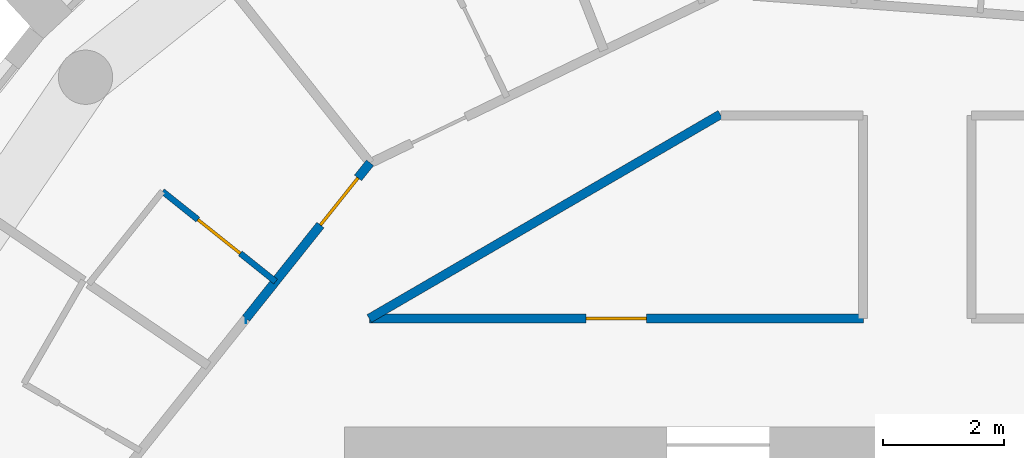
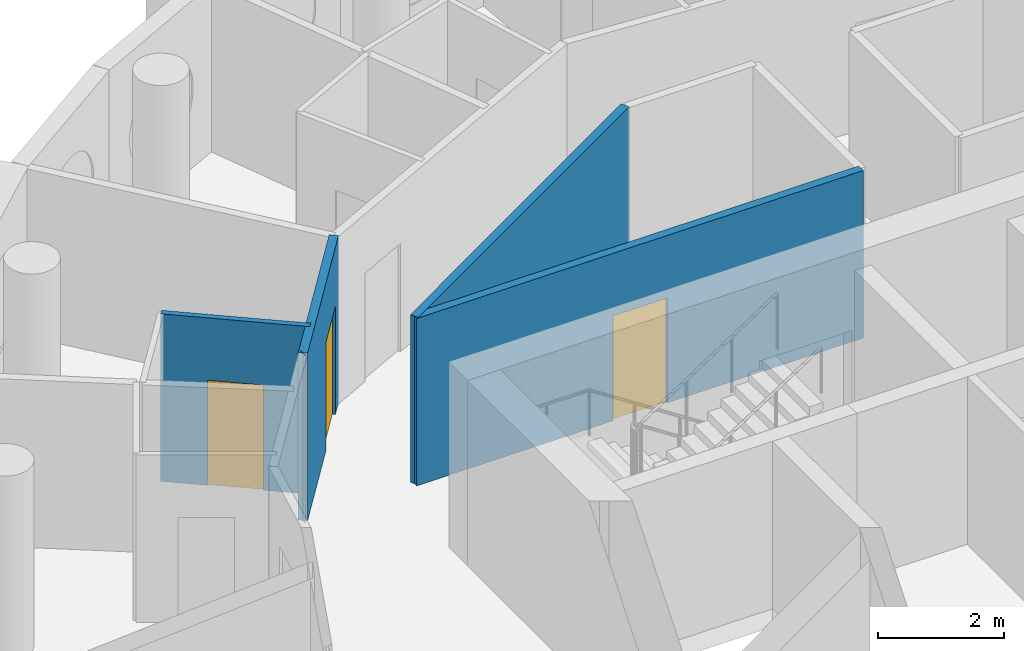
# One storey, part 6 of 12: 5 walls, 3 doors, 3 openings.
"""IFC4 building model written with IfcOpenShell, lengths in metres."""

from ifc_helpers import new_model, si_unit, direction, frame, frame_2d, origin, place, context, subcontext, project, spatial, rectangle, extrude, material, layer, layer_set, type_object, element, fill, save


model = new_model("IFC4")

# Units and contexts
model_context = context("Model", 3, precision=1e-05, world=origin(), true_north=direction((0.0, 1.0)))
body_context = subcontext(model_context, "Body", "Model", "MODEL_VIEW")
ifc_project = project(units=[si_unit("LENGTHUNIT", "METRE"), si_unit("AREAUNIT", "SQUARE_METRE"), si_unit("VOLUMEUNIT", "CUBIC_METRE"), si_unit("PLANEANGLEUNIT", "RADIAN"), si_unit("MASSUNIT", "GRAM", prefix="KILO")], contexts=[model_context])

# Site, building, storey
site_placement = place(None, origin())
site = spatial("IfcSite", under=ifc_project, at=site_placement, CompositionType="ELEMENT")
building_placement = place(site_placement, origin())
building = spatial("IfcBuilding", under=site, at=building_placement, Name="Tracery Tower", CompositionType="ELEMENT")
storey_placement = place(building_placement, frame((0.0, 0.0, 312.60009765625)))
storey = spatial("IfcBuildingStorey", under=building, at=storey_placement, Name="L81", CompositionType="ELEMENT", Elevation=312.60009765625)

# Wall, opening, door
ifc_material_1 = material(Name="Plasterboard on steel studs", Category="steel")
ifc_layer_1 = layer(ifc_material_1, 0.10009765625)
ifc_layer_set_1 = layer_set([ifc_layer_1], Name="Partition 100 wet wall")
wall_type_1 = type_object("IfcWallType", Name="Partition 100 wet wall", PredefinedType="PARTITIONING", material=ifc_layer_set_1)
wall_1_placement = place(storey_placement, frame((-12.52197265625, 10.909912109375, 0.0), z_axis=(0.0, 0.0, 1.0), x_axis=(0.781830263661, -0.623491330191, 0.0)))
wall_1 = element("IfcWall", 1, at=wall_1_placement, inside=storey, type_object=wall_type_1, Name="Wet wall RC8-069", PredefinedType="PARTITIONING", context=body_context, shape_type="SweptSolid", body=[
    extrude(rectangle(XDim=2.400634765625, YDim=0.10009765625, at=frame_2d((1.2001953125, 0.0))), origin(), (0.0, 0.0, 1.0), 3.25),
])
opening_1_placement = place(wall_1_placement, frame((0.7509765625, 0.0, 0.0)))
opening_1 = element("IfcOpeningElement", 2, at=opening_1_placement, cuts=wall_1, Name="Opening RC8-19", PredefinedType="OPENING", context=body_context, shape_type="SweptSolid", body=[
    extrude(rectangle(XDim=0.89990234375, YDim=2.0400390625, at=frame_2d((0.449951171875, 1.02001953125))), frame((0.0, 0.050048828125, 0.0), z_axis=(0.0, -1.0, 0.0), x_axis=(1.0, 0.0, 0.0)), (0.0, 0.0, 1.0), 0.10009765625),
])
ifc_material_2 = material(Name="Timber door leaf", Category="wood")
door_type_1 = type_object("IfcDoorType", Name="Door en-suite 900", OperationType="NOTDEFINED", PredefinedType="DOOR", material=ifc_material_2)
door_1_placement = place(opening_1_placement, origin())
door_1 = element("IfcDoor", 3, at=door_1_placement, inside=storey, type_object=door_type_1, Name="En-suite door RC8-19", OperationType="SINGLE_SWING_LEFT", OverallHeight=2.0400390625, OverallWidth=0.89990234375, PredefinedType="DOOR", context=body_context, shape_type="SweptSolid", body=[
    extrude(rectangle(XDim=0.89990234375, YDim=2.0400390625, at=frame_2d((0.449951171875, 1.02001953125))), frame((0.0, 0.02490234375, 0.0), z_axis=(0.0, -1.0, 0.0), x_axis=(1.0, 0.0, 0.0)), (0.0, 0.0, 1.0), 0.050048828125),
])
fill(opening_1, door_1)

# Wall
ifc_material_3 = material(Name="Plasterboard on steel studs", Category="steel")
ifc_layer_2 = layer(ifc_material_3, 0.14990234375)
ifc_layer_set_2 = layer_set([ifc_layer_2], Name="Partition 150 corridor wall")
wall_type_2 = type_object("IfcWallType", Name="Partition 150 corridor wall", PredefinedType="PARTITIONING", material=ifc_layer_set_2)
wall_2_placement = place(storey_placement, frame((-9.092041015625, 8.800048828125, 0.0), z_axis=(0.0, 0.0, 1.0), x_axis=(0.864470922103, 0.502682827277, 0.0)))
element("IfcWall", 4, at=wall_2_placement, inside=storey, type_object=wall_type_2, Name="Corridor wall RC8-001", PredefinedType="PARTITIONING", context=body_context, shape_type="SweptSolid", body=[
    extrude(rectangle(XDim=6.7353515625, YDim=0.14990234375, at=frame_2d((3.36767578125, 0.0))), origin(), (0.0, 0.0, 1.0), 3.25),
])

# Wall, opening, door
wall_3_placement = place(storey_placement, frame((-9.092041015625, 8.800048828125, 0.0), z_axis=(0.0, 0.0, 1.0), x_axis=(1.0, 0.0, 0.0)))
wall_3 = element("IfcWall", 5, at=wall_3_placement, inside=storey, type_object=wall_type_2, Name="Corridor wall RC8-002", PredefinedType="PARTITIONING", context=body_context, shape_type="SweptSolid", body=[
    extrude(rectangle(XDim=8.196044921875, YDim=0.14990234375, at=frame_2d((4.09814453125, 0.0))), origin(), (0.0, 0.0, 1.0), 3.25),
])
opening_2_placement = place(wall_3_placement, frame((3.597900390625, 0.0, 0.0)))
opening_2 = element("IfcOpeningElement", 6, at=opening_2_placement, cuts=wall_3, Name="Opening RC8-01", PredefinedType="OPENING", context=body_context, shape_type="SweptSolid", body=[
    extrude(rectangle(XDim=1.0, YDim=2.0400390625, at=frame_2d((0.5, 1.02001953125))), frame((0.0, 0.074951171875, 0.0), z_axis=(0.0, -1.0, 0.0), x_axis=(1.0, 0.0, 0.0)), (0.0, 0.0, 1.0), 0.14990234375),
])
ifc_material_4 = material(Name="Timber door leaf", Category="wood")
door_type_2 = type_object("IfcDoorType", Name="Door communal room 1000", OperationType="NOTDEFINED", PredefinedType="DOOR", material=ifc_material_4)
door_2_placement = place(opening_2_placement, origin())
door_2 = element("IfcDoor", 7, at=door_2_placement, inside=storey, type_object=door_type_2, Name="Communal room door RC8-01", OperationType="SINGLE_SWING_RIGHT", OverallHeight=2.0400390625, OverallWidth=1.0, PredefinedType="DOOR", context=body_context, shape_type="SweptSolid", body=[
    extrude(rectangle(XDim=1.0, YDim=2.0400390625, at=frame_2d((0.5, 1.02001953125))), frame((0.0, 0.02490234375, 0.0), z_axis=(0.0, -1.0, 0.0), x_axis=(1.0, 0.0, 0.0)), (0.0, 0.0, 1.0), 0.050048828125),
])
fill(opening_2, door_2)

wall_4_placement = place(storey_placement, frame((-11.135986328125, 8.802001953125, 0.0), z_axis=(0.0, 0.0, 1.0), x_axis=(0.623151397235, 0.782101231379, 0.0)))
wall_4 = element("IfcWall", 8, at=wall_4_placement, inside=storey, type_object=wall_type_2, Name="Corridor wall RC8-008", PredefinedType="PARTITIONING", context=body_context, shape_type="SweptSolid", body=[
    extrude(rectangle(XDim=3.30078125, YDim=0.14990234375, at=frame_2d((1.650390625, 0.0))), origin(), (0.0, 0.0, 1.0), 3.25),
])
opening_3_placement = place(wall_4_placement, frame((1.980712890625, 0.0, 0.0)))
opening_3 = element("IfcOpeningElement", 9, at=opening_3_placement, cuts=wall_4, Name="Opening RC8-20", PredefinedType="OPENING", context=body_context, shape_type="SweptSolid", body=[
    extrude(rectangle(XDim=1.0, YDim=2.10009765625, at=frame_2d((0.5, 1.050048828125))), frame((0.0, 0.074951171875, 0.0), z_axis=(0.0, -1.0, 0.0), x_axis=(1.0, 0.0, 0.0)), (0.0, 0.0, 1.0), 0.14990234375),
])
ifc_material_5 = material(Name="Timber door leaf", Category="wood")
door_type_3 = type_object("IfcDoorType", Name="Door unit entrance 1000", OperationType="NOTDEFINED", PredefinedType="DOOR", material=ifc_material_5)
door_3_placement = place(opening_3_placement, origin())
door_3 = element("IfcDoor", 10, at=door_3_placement, inside=storey, type_object=door_type_3, Name="Unit entrance door RC8-20", OperationType="SINGLE_SWING_LEFT", OverallHeight=2.10009765625, OverallWidth=1.0, PredefinedType="DOOR", context=body_context, shape_type="SweptSolid", body=[
    extrude(rectangle(XDim=1.0, YDim=2.10009765625, at=frame_2d((0.5, 1.050048828125))), frame((0.0, 0.02490234375, 0.0), z_axis=(0.0, -1.0, 0.0), x_axis=(1.0, 0.0, 0.0)), (0.0, 0.0, 1.0), 0.050048828125),
])
fill(opening_3, door_3)

# Wall
wall_5_placement = place(storey_placement, frame((-11.134033203125, 8.800048828125, 0.0), z_axis=(0.0, 0.0, 1.0), x_axis=(-1.0, 0.0, 0.0)))
element("IfcWall", 11, at=wall_5_placement, inside=storey, type_object=wall_type_2, Name="Corridor wall RC8-010", PredefinedType="PARTITIONING", context=body_context, shape_type="SweptSolid", body=[
    extrude(rectangle(XDim=0.0029296875, YDim=0.14990234375, at=frame_2d((0.00146484375, 0.0))), origin(), (0.0, 0.0, 1.0), 3.25),
])

save(model, "model.ifc")
